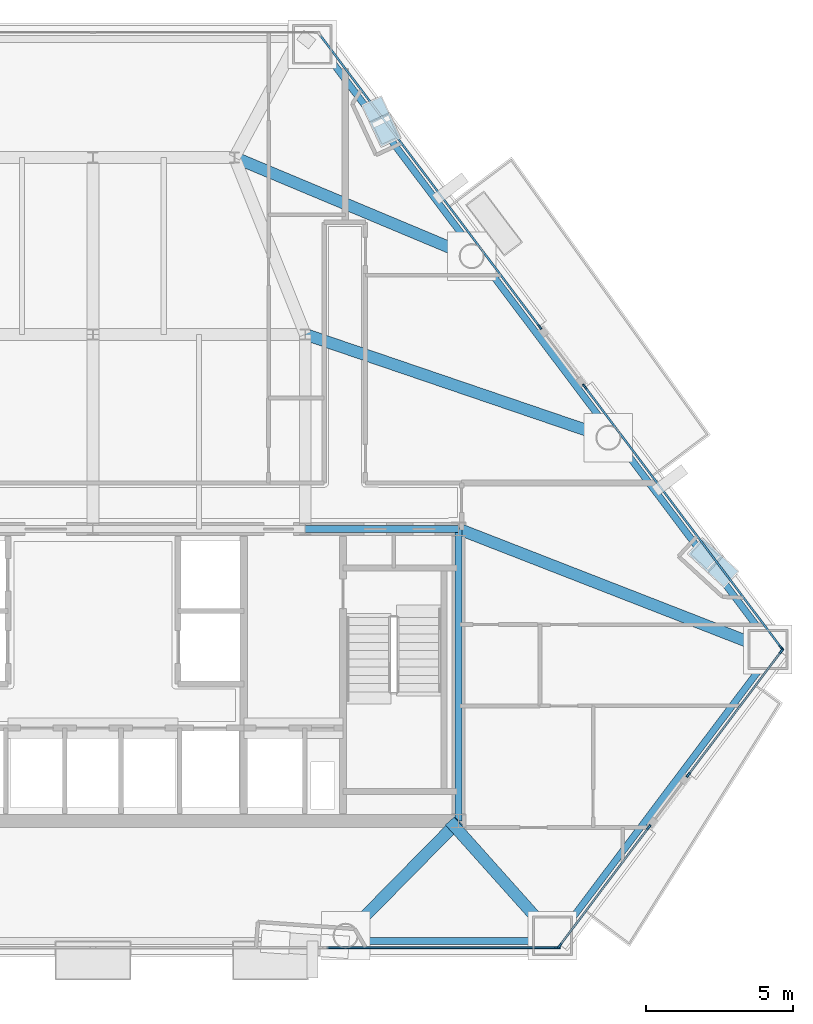
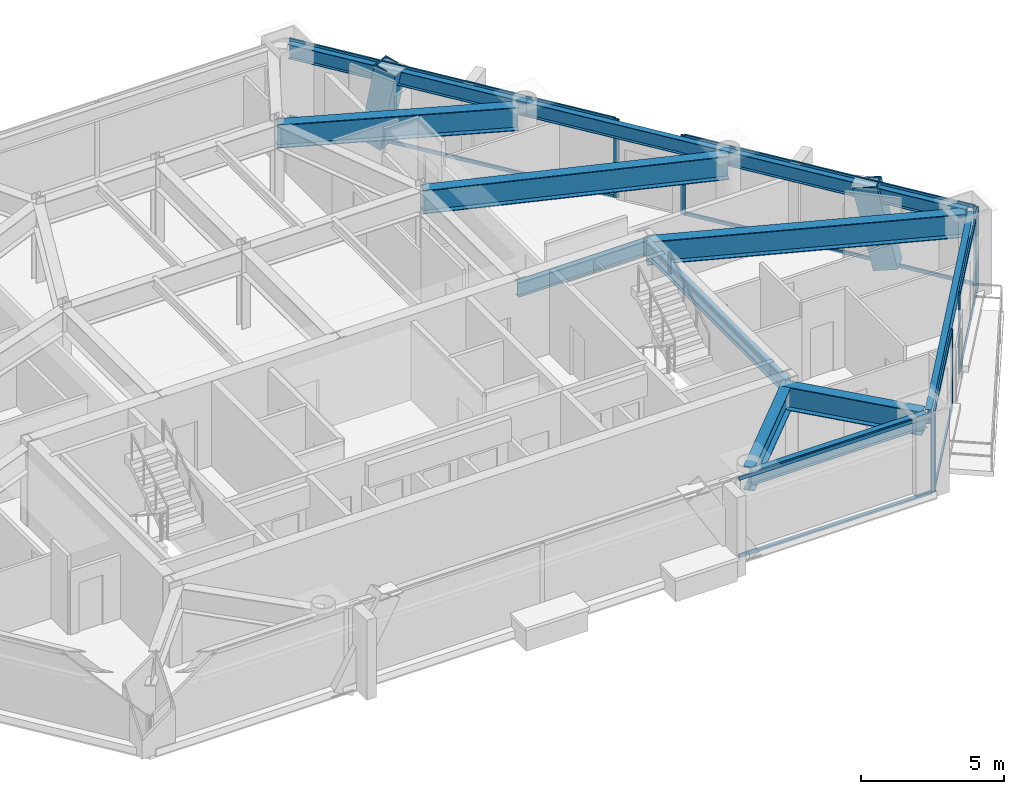
# One storey, part 4 of 10: 20 members, 12 beams, 5 elements without a shape of their own.
"""IFC4 building model written with IfcOpenShell, lengths in metres."""

from ifc_helpers import new_model, si_unit, direction, frame, origin, origin_2d, place, context, subcontext, project, spatial, rectangle, hollow_rectangle, i_section, extrude, material, layer, layer_set, material_profile, profile_set, type_object, element, aggregate, save


model = new_model("IFC4")

# Units and contexts
model_context = context("Model", 3, precision=1e-05, world=origin(), true_north=direction((0.0, 1.0)))
body_context = subcontext(model_context, "Body", "Model", "MODEL_VIEW")
ifc_project = project(units=[si_unit("LENGTHUNIT", "METRE"), si_unit("AREAUNIT", "SQUARE_METRE"), si_unit("VOLUMEUNIT", "CUBIC_METRE"), si_unit("PLANEANGLEUNIT", "RADIAN"), si_unit("MASSUNIT", "GRAM", prefix="KILO")], contexts=[model_context])

# Site, building, storey
site_placement = place(None, origin())
site = spatial("IfcSite", under=ifc_project, at=site_placement, CompositionType="ELEMENT")
building_placement = place(site_placement, origin())
building = spatial("IfcBuilding", under=site, at=building_placement, Name="Talgorran Terracotta Tower", CompositionType="ELEMENT")
storey_placement = place(building_placement, frame((0.0, 0.0, 64.800048828125)))
storey = spatial("IfcBuildingStorey", under=building, at=storey_placement, Name="L16", CompositionType="ELEMENT", Elevation=64.800048828125)

# Beams
ifc_material_1 = material(Name="Steel Grade 350 (350L0)", Category="steel")
ifc_material_profile_1 = material_profile(ifc_material_1, i_section(OverallWidth=0.39990234375, OverallDepth=1.0, WebThickness=0.01611328125, FlangeThickness=0.031005859375, at=origin_2d()), Name="1000WB296")
ifc_profile_set_1 = profile_set([ifc_material_profile_1], Name="Steel Grade 350 (350L0)")
beam_type_1 = type_object("IfcBeamType", Name="BM_1000WB296", PredefinedType="BEAM", material=ifc_profile_set_1)
beam_1_placement = place(storey_placement, frame((12.39990234375, -14.10009765625, 2.849853515625), z_axis=(-0.701586091596, -0.712584700985, 0.0), x_axis=(0.712584700985, -0.701586091596, 0.0)))
element("IfcBeam", 1, at=beam_1_placement, inside=storey, type_object=beam_type_1, Name="L16 South-East Core Tie Beam", PredefinedType="BEAM", context=body_context, shape_type="SweptSolid", body=[
    extrude(i_section(OverallWidth=0.39990234375, OverallDepth=1.0, WebThickness=0.01611328125, FlangeThickness=0.031005859375, at=origin_2d()), origin(), (0.0, 0.0, 1.0), 5.46044921875),
])
beam_2_placement = place(storey_placement, frame((15.57958984375, -17.9912109375, 2.849853515625), z_axis=(-0.666578821872, 0.745434553957, 0.0), x_axis=(-0.745434553957, -0.666578821872, 0.0)))
element("IfcBeam", 2, at=beam_2_placement, inside=storey, type_object=beam_type_1, Name="L16 Perimeter Step Girder 5", PredefinedType="BEAM", context=body_context, shape_type="SweptSolid", body=[
    extrude(i_section(OverallWidth=0.39990234375, OverallDepth=1.0, WebThickness=0.01611328125, FlangeThickness=0.031005859375, at=origin_2d()), origin(), (0.0, 0.0, 1.0), 5.219970703125),
])
beam_3_placement = place(storey_placement, frame((7.199951171875, 2.39990234375, 2.849853515625), z_axis=(0.94650066869, -0.322701850274, 0.0), x_axis=(0.322701850274, 0.94650066869, 0.0)))
element("IfcBeam", 3, at=beam_3_placement, inside=storey, type_object=beam_type_1, Name="L16 Floor Girder G07", PredefinedType="BEAM", context=body_context, shape_type="SweptSolid", body=[
    extrude(i_section(OverallWidth=0.39990234375, OverallDepth=1.0, WebThickness=0.01611328125, FlangeThickness=0.031005859375, at=origin_2d()), origin(), (0.0, 0.0, 1.0), 10.859619140625),
])
beam_4_placement = place(storey_placement, frame((4.800048828125, 8.39990234375, 2.849853515625), z_axis=(0.922404506717, -0.386225227023, 0.0), x_axis=(0.386225227023, 0.922404506717, 0.0)))
element("IfcBeam", 4, at=beam_4_placement, inside=storey, type_object=beam_type_1, Name="L16 Floor Girder G14", PredefinedType="BEAM", context=body_context, shape_type="SweptSolid", body=[
    extrude(i_section(OverallWidth=0.39990234375, OverallDepth=1.0, WebThickness=0.01611328125, FlangeThickness=0.031005859375, at=origin_2d()), origin(), (0.0, 0.0, 1.0), 8.482421875),
])
beam_5_placement = place(storey_placement, frame((12.39990234375, -4.199951171875, 2.849853515625), z_axis=(0.931733259181, -0.363143406571, 0.0), x_axis=(0.363143406571, 0.931733259181, 0.0)))
element("IfcBeam", 5, at=beam_5_placement, inside=storey, type_object=beam_type_1, Name="L16 Floor Girder G18", PredefinedType="BEAM", context=body_context, shape_type="SweptSolid", body=[
    extrude(i_section(OverallWidth=0.39990234375, OverallDepth=1.0, WebThickness=0.01611328125, FlangeThickness=0.031005859375, at=origin_2d()), origin(), (0.0, 0.0, 1.0), 11.253662109375),
])
ifc_material_2 = material(Name="Steel S355 (300PLUS)", Category="steel")
ifc_material_profile_2 = material_profile(ifc_material_2, i_section(OverallWidth=0.22900390625, OverallDepth=0.611572265625, WebThickness=0.011962890625, FlangeThickness=0.01953125, at=origin_2d()), Name="610UB125")
ifc_profile_set_2 = profile_set([ifc_material_profile_2], Name="Steel S355 (300PLUS)")
beam_type_2 = type_object("IfcBeamType", Name="BM_SP_610UB125", PredefinedType="SPANDREL", material=ifc_profile_set_2)
beam_6_placement = place(storey_placement, frame((8.56884765625, -18.171142578125, 3.044189453125), z_axis=(1.0, 0.0, 0.0), x_axis=(0.0, 1.0, 0.0)))
element("IfcBeam", 6, at=beam_6_placement, inside=storey, type_object=beam_type_2, Name="L16 Perimeter Spandrel Beam FC2-MC3", PredefinedType="SPANDREL", context=body_context, shape_type="SweptSolid", body=[
    extrude(i_section(OverallWidth=0.22900390625, OverallDepth=0.611572265625, WebThickness=0.011962890625, FlangeThickness=0.01953125, at=origin_2d()), origin(), (0.0, 0.0, 1.0), 7.0107421875),
])
beam_7_placement = place(storey_placement, frame((15.723388671875, -18.099365234375, 3.044189453125), z_axis=(0.601442935973, 0.798915761997, 0.0), x_axis=(-0.798915761997, 0.601442935973, 0.0)))
element("IfcBeam", 7, at=beam_7_placement, inside=storey, type_object=beam_type_2, Name="L16 Perimeter Spandrel Beam MC3-MC4", PredefinedType="SPANDREL", context=body_context, shape_type="SweptSolid", body=[
    extrude(i_section(OverallWidth=0.22900390625, OverallDepth=0.611572265625, WebThickness=0.011962890625, FlangeThickness=0.01953125, at=origin_2d()), origin(), (0.0, 0.0, 1.0), 12.14697265625),
])
beam_8_placement = place(storey_placement, frame((23.029052734375, -8.17822265625, 3.044189453125), z_axis=(-0.601446008666, 0.798913448791, 0.0), x_axis=(-0.798913448791, -0.601446008666, 0.0)))
element("IfcBeam", 8, at=beam_8_placement, inside=storey, type_object=beam_type_2, Name="L16 Perimeter Spandrel Beam MC4-FC3", PredefinedType="SPANDREL", context=body_context, shape_type="SweptSolid", body=[
    extrude(i_section(OverallWidth=0.22900390625, OverallDepth=0.611572265625, WebThickness=0.011962890625, FlangeThickness=0.01953125, at=origin_2d()), origin(), (0.0, 0.0, 1.0), 8.989501953125),
])
beam_9_placement = place(storey_placement, frame((17.622314453125, -0.996337890625, 3.044189453125), z_axis=(-0.601413481794, 0.798937934959, 0.0), x_axis=(-0.798937934959, -0.601413481794, 0.0)))
element("IfcBeam", 9, at=beam_9_placement, inside=storey, type_object=beam_type_2, Name="L16 Perimeter Spandrel Beam FC3-FC4", PredefinedType="SPANDREL", context=body_context, shape_type="SweptSolid", body=[
    extrude(i_section(OverallWidth=0.22900390625, OverallDepth=0.611572265625, WebThickness=0.011962890625, FlangeThickness=0.01953125, at=origin_2d()), origin(), (0.0, 0.0, 1.0), 7.705322265625),
])
beam_10_placement = place(storey_placement, frame((12.98828125, 5.15966796875, 3.044189453125), z_axis=(-0.601446008666, 0.798913448791, 0.0), x_axis=(-0.798913448791, -0.601446008666, 0.0)))
element("IfcBeam", 10, at=beam_10_placement, inside=storey, type_object=beam_type_2, Name="L16 Perimeter Spandrel Beam FC4-MC5", PredefinedType="SPANDREL", context=body_context, shape_type="SweptSolid", body=[
    extrude(i_section(OverallWidth=0.22900390625, OverallDepth=0.611572265625, WebThickness=0.011962890625, FlangeThickness=0.01953125, at=origin_2d()), origin(), (0.0, 0.0, 1.0), 8.989501953125),
])
beam_11_placement = place(storey_placement, frame((12.39990234375, -14.10009765625, 3.044189453125), z_axis=(0.0, 1.0, 0.0), x_axis=(-1.0, 0.0, 0.0)))
element("IfcBeam", 11, at=beam_11_placement, inside=storey, type_object=beam_type_2, Name="L16 Core Frame Beam CFE", PredefinedType="SPANDREL", context=body_context, shape_type="SweptSolid", body=[
    extrude(i_section(OverallWidth=0.22900390625, OverallDepth=0.611572265625, WebThickness=0.011962890625, FlangeThickness=0.01953125, at=origin_2d()), origin(), (0.0, 0.0, 1.0), 9.900146484375),
])
beam_12_placement = place(storey_placement, frame((7.199951171875, -4.199951171875, 3.044189453125), z_axis=(1.0, 0.0, 0.0), x_axis=(0.0, 1.0, 0.0)))
element("IfcBeam", 12, at=beam_12_placement, inside=storey, type_object=beam_type_2, Name="L16 Core Frame Beam CFN4", PredefinedType="SPANDREL", context=body_context, shape_type="SweptSolid", body=[
    extrude(i_section(OverallWidth=0.22900390625, OverallDepth=0.611572265625, WebThickness=0.011962890625, FlangeThickness=0.01953125, at=origin_2d()), origin(), (0.0, 0.0, 1.0), 5.199951171875),
])

# Members
ifc_material_profile_3 = material_profile(ifc_material_1, hollow_rectangle(XDim=0.699951171875, YDim=0.89990234375, WallThickness=0.050048828125, at=origin_2d()), Name="WBOX900X700X50")
ifc_profile_set_3 = profile_set([ifc_material_profile_3], Name="Steel Grade 350 (350L0)")
member_type_1 = type_object("IfcMemberType", Name="MB_MEGA_900", PredefinedType="BRACE", material=ifc_profile_set_3)
member_1_placement = place(storey_placement, frame((21.30810546875, -5.593017578125, -0.025146484375), z_axis=(-0.157538338283, 0.144632258922, 0.976863952478), x_axis=(-0.676288798637, -0.736636586682, 0.0)))
element("IfcMember", 13, at=member_1_placement, inside=storey, type_object=member_type_1, Name="L16 Exterior Face Mega-Brace MB-1 (NEL)", PredefinedType="BRACE", context=body_context, shape_type="SweptSolid", body=[
    extrude(hollow_rectangle(XDim=0.699951171875, YDim=0.89990234375, WallThickness=0.050048828125, at=origin_2d()), origin(), (0.0, 0.0, 1.0), 3.480712890625),
])
member_2_placement = place(storey_placement, frame((9.64501953125, 9.89990234375, -0.025146484375), z_axis=(0.076747511525, -0.164933014648, 0.983314253), x_axis=(0.906648617193, 0.421886578291, 0.0)))
element("IfcMember", 14, at=member_2_placement, inside=storey, type_object=member_type_1, Name="L16 Exterior Face Mega-Brace MB-1 (NEU)", PredefinedType="BRACE", context=body_context, shape_type="SweptSolid", body=[
    extrude(hollow_rectangle(XDim=0.699951171875, YDim=0.89990234375, WallThickness=0.050048828125, at=origin_2d()), origin(), (0.0, 0.0, 1.0), 3.457763671875),
])

# Curtain wall, member
ifc_material_3 = material(Name="Unitised Low-E Double Glazing", Category="glass")
ifc_layer = layer(ifc_material_3, 0.199951171875, Name="CW_SYS2_RES_LOW")
ifc_layer_set = layer_set([ifc_layer], Name="Unitised Low-E Double Glazing")
curtain_wall_type = type_object("IfcCurtainWallType", Name="CW_SYS2_RES_LOW", PredefinedType="NOTDEFINED", material=ifc_layer_set)
curtain_wall_1_placement = place(storey_placement, origin())
curtain_wall_1 = element("IfcCurtainWall", 15, at=curtain_wall_1_placement, inside=storey, type_object=curtain_wall_type, Name="CW-L16-F1", PredefinedType="NOTDEFINED")
ifc_material_4 = material(Name="Architectural Aluminium 6063-T6", Category="aluminium")
ifc_material_profile_4 = material_profile(ifc_material_4, rectangle(XDim=0.06494140625, YDim=0.18505859375, at=origin_2d()), Name="CWM65X185")
ifc_profile_set_4 = profile_set([ifc_material_profile_4], Name="Architectural Aluminium 6063-T6")
member_type_2 = type_object("IfcMemberType", Name="MUL_65X185", PredefinedType="MULLION", material=ifc_profile_set_4)
member_3_placement = place(storey_placement, frame((15.74658203125, -18.39111328125, 0.0), z_axis=(0.0, 0.0, 1.0), x_axis=(0.0, 1.0, 0.0)))
member_3 = element("IfcMember", 16, at=member_3_placement, type_object=member_type_2, Name="CW-L16-1 mullion 5", PredefinedType="MULLION", context=body_context, shape_type="SweptSolid", body=[
    extrude(rectangle(XDim=0.06494140625, YDim=0.18505859375, at=origin_2d()), origin(), (0.0, 0.0, 1.0), 3.349853515625),
])

# Curtain wall, members
curtain_wall_2_placement = place(storey_placement, origin())
curtain_wall_2 = element("IfcCurtainWall", 17, at=curtain_wall_2_placement, inside=storey, type_object=curtain_wall_type, Name="CW-L16-F30", PredefinedType="NOTDEFINED")
member_4_placement = place(storey_placement, frame((15.82275390625, -18.333251953125, 0.0), z_axis=(0.0, 0.0, 1.0), x_axis=(-0.798916538598, 0.601441904389, 0.0)))
member_4 = element("IfcMember", 18, at=member_4_placement, type_object=member_type_2, Name="CW-L16-30 mullion 1", PredefinedType="MULLION", context=body_context, shape_type="SweptSolid", body=[
    extrude(rectangle(XDim=0.06494140625, YDim=0.18505859375, at=origin_2d()), origin(), (0.0, 0.0, 1.0), 3.349853515625),
])
member_5_placement = place(storey_placement, frame((18.8515625, -14.309814453125, 0.0), z_axis=(0.0, 0.0, 1.0), x_axis=(-0.798916538598, 0.601441904389, 0.0)))
member_5 = element("IfcMember", 19, at=member_5_placement, type_object=member_type_2, Name="CW-L16-30 mullion 2", PredefinedType="MULLION", context=body_context, shape_type="SweptSolid", body=[
    extrude(rectangle(XDim=0.06494140625, YDim=0.18505859375, at=origin_2d()), origin(), (0.0, 0.0, 1.0), 3.349853515625),
])

curtain_wall_3_placement = place(storey_placement, origin())
curtain_wall_3 = element("IfcCurtainWall", 20, at=curtain_wall_3_placement, inside=storey, type_object=curtain_wall_type, Name="CW-L16-F31", PredefinedType="NOTDEFINED")
member_6_placement = place(storey_placement, frame((20.189697265625, -12.5322265625, 0.0), z_axis=(0.0, 0.0, 1.0), x_axis=(-0.798913272421, 0.601446242942, 0.0)))
member_6 = element("IfcMember", 21, at=member_6_placement, type_object=member_type_2, Name="CW-L16-31 mullion 1", PredefinedType="MULLION", context=body_context, shape_type="SweptSolid", body=[
    extrude(rectangle(XDim=0.06494140625, YDim=0.18505859375, at=origin_2d()), origin(), (0.0, 0.0, 1.0), 3.349853515625),
])
member_7_placement = place(storey_placement, frame((23.34228515625, -8.344482421875, 0.0), z_axis=(0.0, 0.0, 1.0), x_axis=(-0.798913272421, 0.601446242942, 0.0)))
member_7 = element("IfcMember", 22, at=member_7_placement, type_object=member_type_2, Name="CW-L16-31 mullion 2", PredefinedType="MULLION", context=body_context, shape_type="SweptSolid", body=[
    extrude(rectangle(XDim=0.06494140625, YDim=0.18505859375, at=origin_2d()), origin(), (0.0, 0.0, 1.0), 3.349853515625),
])

curtain_wall_4_placement = place(storey_placement, origin())
curtain_wall_4 = element("IfcCurtainWall", 23, at=curtain_wall_4_placement, inside=storey, type_object=curtain_wall_type, Name="CW-L16-F40", PredefinedType="NOTDEFINED")
member_8_placement = place(storey_placement, frame((23.34228515625, -8.228515625, 0.0), z_axis=(0.0, 0.0, 1.0), x_axis=(-0.798918706189, -0.60143902509, 0.0)))
member_8 = element("IfcMember", 24, at=member_8_placement, type_object=member_type_2, Name="CW-L16-40 mullion 1", PredefinedType="MULLION", context=body_context, shape_type="SweptSolid", body=[
    extrude(rectangle(XDim=0.06494140625, YDim=0.18505859375, at=origin_2d()), origin(), (0.0, 0.0, 1.0), 3.349853515625),
])
member_9_placement = place(storey_placement, frame((16.672119140625, 0.6318359375, 0.0), z_axis=(0.0, 0.0, 1.0), x_axis=(-0.798918706189, -0.60143902509, 0.0)))
member_9 = element("IfcMember", 25, at=member_9_placement, type_object=member_type_2, Name="CW-L16-40 mullion 2", PredefinedType="MULLION", context=body_context, shape_type="SweptSolid", body=[
    extrude(rectangle(XDim=0.06494140625, YDim=0.18505859375, at=origin_2d()), origin(), (0.0, 0.0, 1.0), 3.349853515625),
])

# Curtain wall, member
curtain_wall_5_placement = place(storey_placement, origin())
curtain_wall_5 = element("IfcCurtainWall", 26, at=curtain_wall_5_placement, inside=storey, type_object=curtain_wall_type, Name="CW-L16-F41", PredefinedType="NOTDEFINED")
member_10_placement = place(storey_placement, frame((15.153564453125, 2.649169921875, 0.0), z_axis=(0.0, 0.0, 1.0), x_axis=(-0.798920691857, -0.601436387429, 0.0)))
member_10 = element("IfcMember", 27, at=member_10_placement, type_object=member_type_2, Name="CW-L16-41 mullion 1", PredefinedType="MULLION", context=body_context, shape_type="SweptSolid", body=[
    extrude(rectangle(XDim=0.06494140625, YDim=0.18505859375, at=origin_2d()), origin(), (0.0, 0.0, 1.0), 3.349853515625),
])

# Member
ifc_material_profile_5 = material_profile(ifc_material_4, rectangle(XDim=0.06494140625, YDim=0.14990234375, at=origin_2d()), Name="CWT65X150")
ifc_profile_set_5 = profile_set([ifc_material_profile_5], Name="Architectural Aluminium 6063-T6")
member_type_3 = type_object("IfcMemberType", Name="TRN_65X150", PredefinedType="USERDEFINED", material=ifc_profile_set_5)
member_11_placement = place(storey_placement, frame((7.922119140625, -18.39111328125, 0.032470703125), z_axis=(1.0, 0.0, 0.0), x_axis=(0.0, 1.0, 0.0)))
member_11 = element("IfcMember", 28, at=member_11_placement, type_object=member_type_3, Name="CW-L16-1 transom 4.1", ObjectType="TRANSOM", PredefinedType="USERDEFINED", context=body_context, shape_type="SweptSolid", body=[
    extrude(rectangle(XDim=0.06494140625, YDim=0.14990234375, at=origin_2d()), origin(), (0.0, 0.0, 1.0), 7.7919921875),
])

member_12_placement = place(storey_placement, frame((7.922119140625, -18.39111328125, 3.3173828125), z_axis=(1.0, 0.0, 0.0), x_axis=(0.0, 1.0, 0.0)))
member_12 = element("IfcMember", 29, at=member_12_placement, type_object=member_type_3, Name="CW-L16-1 transom 4.2", ObjectType="TRANSOM", PredefinedType="USERDEFINED", context=body_context, shape_type="SweptSolid", body=[
    extrude(rectangle(XDim=0.06494140625, YDim=0.14990234375, at=origin_2d()), origin(), (0.0, 0.0, 1.0), 7.7919921875),
])

aggregate(curtain_wall_1, [member_3, member_11, member_12])

member_13_placement = place(storey_placement, frame((15.84228515625, -18.30712890625, 0.032470703125), z_axis=(0.601460656972, 0.798902420897, 0.0), x_axis=(-0.798902420897, 0.601460656972, 0.0)))
member_13 = element("IfcMember", 30, at=member_13_placement, type_object=member_type_3, Name="CW-L16-30 transom 1.1", ObjectType="TRANSOM", PredefinedType="USERDEFINED", context=body_context, shape_type="SweptSolid", body=[
    extrude(rectangle(XDim=0.06494140625, YDim=0.14990234375, at=origin_2d()), origin(), (0.0, 0.0, 1.0), 4.970703125),
])

member_14_placement = place(storey_placement, frame((15.84228515625, -18.30712890625, 3.3173828125), z_axis=(0.601460656972, 0.798902420897, 0.0), x_axis=(-0.798902420897, 0.601460656972, 0.0)))
member_14 = element("IfcMember", 31, at=member_14_placement, type_object=member_type_3, Name="CW-L16-30 transom 1.2", ObjectType="TRANSOM", PredefinedType="USERDEFINED", context=body_context, shape_type="SweptSolid", body=[
    extrude(rectangle(XDim=0.06494140625, YDim=0.14990234375, at=origin_2d()), origin(), (0.0, 0.0, 1.0), 4.970703125),
])

aggregate(curtain_wall_2, [member_4, member_5, member_13, member_14])

member_15_placement = place(storey_placement, frame((20.209228515625, -12.50634765625, 0.032470703125), z_axis=(0.601447810628, 0.798912092217, 0.0), x_axis=(-0.798912092217, 0.601447810628, 0.0)))
member_15 = element("IfcMember", 32, at=member_15_placement, type_object=member_type_3, Name="CW-L16-31 transom 1.1", ObjectType="TRANSOM", PredefinedType="USERDEFINED", context=body_context, shape_type="SweptSolid", body=[
    extrude(rectangle(XDim=0.06494140625, YDim=0.14990234375, at=origin_2d()), origin(), (0.0, 0.0, 1.0), 5.1767578125),
])

member_16_placement = place(storey_placement, frame((20.209228515625, -12.50634765625, 3.3173828125), z_axis=(0.601447810628, 0.798912092217, 0.0), x_axis=(-0.798912092217, 0.601447810628, 0.0)))
member_16 = element("IfcMember", 33, at=member_16_placement, type_object=member_type_3, Name="CW-L16-31 transom 1.2", ObjectType="TRANSOM", PredefinedType="USERDEFINED", context=body_context, shape_type="SweptSolid", body=[
    extrude(rectangle(XDim=0.06494140625, YDim=0.14990234375, at=origin_2d()), origin(), (0.0, 0.0, 1.0), 5.1767578125),
])

aggregate(curtain_wall_3, [member_6, member_7, member_15, member_16])

member_17_placement = place(storey_placement, frame((23.32275390625, -8.20263671875, 0.032470703125), z_axis=(-0.601430373537, 0.798925219146, 0.0), x_axis=(-0.798925219146, -0.601430373537, 0.0)))
member_17 = element("IfcMember", 34, at=member_17_placement, type_object=member_type_3, Name="CW-L16-40 transom 1.1", ObjectType="TRANSOM", PredefinedType="USERDEFINED", context=body_context, shape_type="SweptSolid", body=[
    extrude(rectangle(XDim=0.06494140625, YDim=0.14990234375, at=origin_2d()), origin(), (0.0, 0.0, 1.0), 11.025634765625),
])

member_18_placement = place(storey_placement, frame((23.32275390625, -8.20263671875, 3.3173828125), z_axis=(-0.601430373537, 0.798925219146, 0.0), x_axis=(-0.798925219146, -0.601430373537, 0.0)))
member_18 = element("IfcMember", 35, at=member_18_placement, type_object=member_type_3, Name="CW-L16-40 transom 1.2", ObjectType="TRANSOM", PredefinedType="USERDEFINED", context=body_context, shape_type="SweptSolid", body=[
    extrude(rectangle(XDim=0.06494140625, YDim=0.14990234375, at=origin_2d()), origin(), (0.0, 0.0, 1.0), 11.025634765625),
])

aggregate(curtain_wall_4, [member_8, member_9, member_17, member_18])

member_19_placement = place(storey_placement, frame((15.1337890625, 2.675048828125, 0.032470703125), z_axis=(-0.601430763175, 0.798924925826, 0.0), x_axis=(-0.798924925826, -0.601430763175, 0.0)))
member_19 = element("IfcMember", 36, at=member_19_placement, type_object=member_type_3, Name="CW-L16-41 transom 1.1", ObjectType="TRANSOM", PredefinedType="USERDEFINED", context=body_context, shape_type="SweptSolid", body=[
    extrude(rectangle(XDim=0.06494140625, YDim=0.14990234375, at=origin_2d()), origin(), (0.0, 0.0, 1.0), 12.359375),
])

member_20_placement = place(storey_placement, frame((15.1337890625, 2.675048828125, 3.3173828125), z_axis=(-0.601430763175, 0.798924925826, 0.0), x_axis=(-0.798924925826, -0.601430763175, 0.0)))
member_20 = element("IfcMember", 37, at=member_20_placement, type_object=member_type_3, Name="CW-L16-41 transom 1.2", ObjectType="TRANSOM", PredefinedType="USERDEFINED", context=body_context, shape_type="SweptSolid", body=[
    extrude(rectangle(XDim=0.06494140625, YDim=0.14990234375, at=origin_2d()), origin(), (0.0, 0.0, 1.0), 12.359375),
])

aggregate(curtain_wall_5, [member_10, member_19, member_20])

save(model, "model.ifc")
